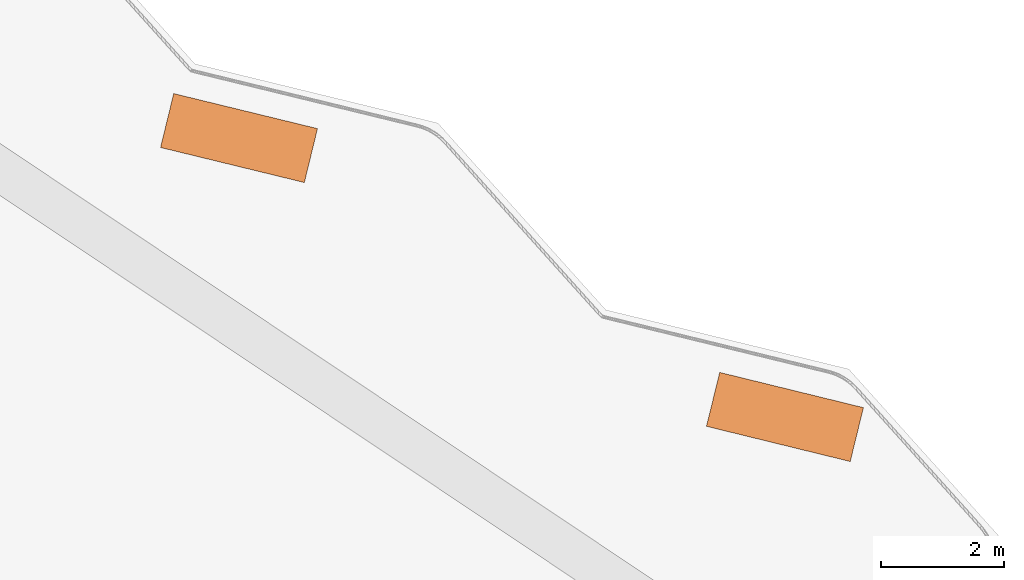
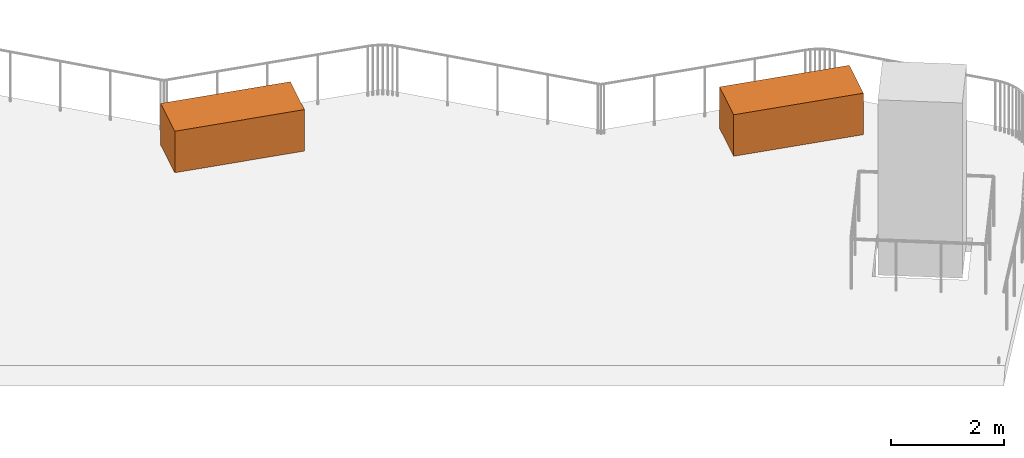
# One storey, part 33 of 33: 2 proxies.
"""IFC4 building model written with IfcOpenShell, lengths in metres."""

from ifc_helpers import new_model, si_unit, direction, frame, origin, origin_2d, place, context, subcontext, project, spatial, rectangle, extrude, material, type_object, element, save


model = new_model("IFC4")

# Units and contexts
model_context = context("Model", 3, precision=1e-05, world=origin(), true_north=direction((0.0, 1.0)))
body_context = subcontext(model_context, "Body", "Model", "MODEL_VIEW")
ifc_project = project(units=[si_unit("LENGTHUNIT", "METRE"), si_unit("AREAUNIT", "SQUARE_METRE"), si_unit("VOLUMEUNIT", "CUBIC_METRE"), si_unit("PLANEANGLEUNIT", "RADIAN"), si_unit("MASSUNIT", "GRAM", prefix="KILO")], contexts=[model_context])

# Site, building, storey
site_placement = place(None, origin())
site = spatial("IfcSite", under=ifc_project, at=site_placement, CompositionType="ELEMENT")
building_placement = place(site_placement, origin())
building = spatial("IfcBuilding", under=site, at=building_placement, Name="Qamariyya Broadcast Tower", CompositionType="ELEMENT")
storey_placement = place(building_placement, frame((0.0, 0.0, 94.89990234375)))
storey = spatial("IfcBuildingStorey", under=building, at=storey_placement, Name="L20", CompositionType="ELEMENT", Elevation=94.89990234375)

# Proxies
ifc_material = material(Name="Glazed terracotta", Category="masonry")
building_element_proxy_type = type_object("IfcBuildingElementProxyType", Name="Terracotta planter with saturated soil", PredefinedType="USERDEFINED", material=ifc_material)
for number, where, z_axis, x_axis, name in (
    (1, (55.727783203125, -34.13671875, 0.000244140625), (0.0, 0.0, 1.0), (0.971582996871, -0.236699134328, 0.0), "e-pl-L20-t1-00"),
    (2, (64.581298828125, -38.659912109375, 0.000244140625), (0.0, 0.0, 1.0), (0.97126845601, -0.237986525586, 0.0), "e-pl-L20-t1-01"),
):
    element("IfcBuildingElementProxy", number, at=place(storey_placement, frame(where, z_axis=z_axis, x_axis=x_axis)), inside=storey, type_object=building_element_proxy_type, Name=name, ObjectType="PLANTER", PredefinedType="USERDEFINED", context=body_context, shape_type="SweptSolid", body=[
        extrude(rectangle(XDim=2.39990234375, YDim=0.89990234375, at=origin_2d()), origin(), (0.0, 0.0, 1.0), 0.89990234375),
    ])

save(model, "model.ifc")
